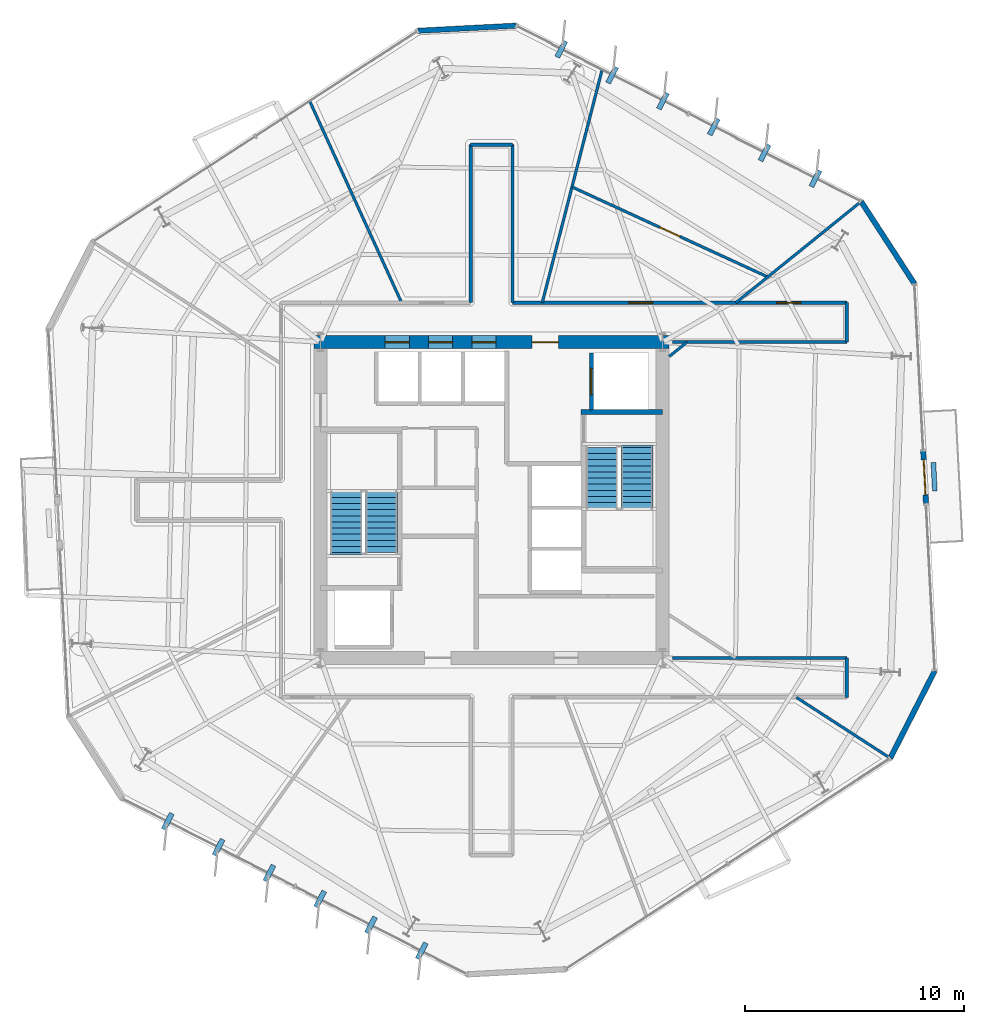
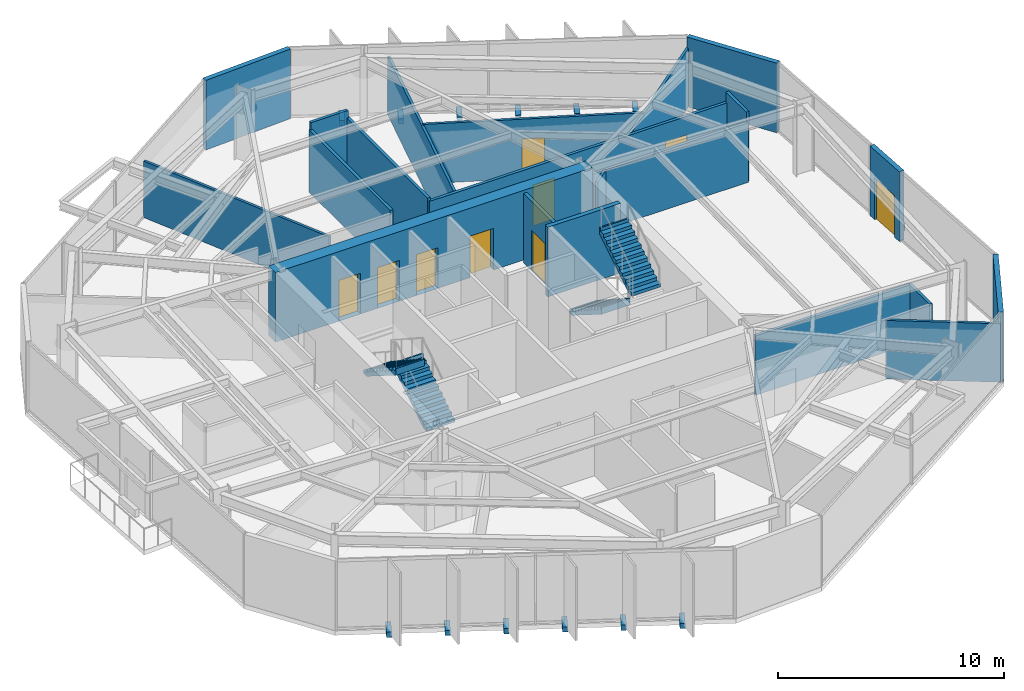
# One storey, part 8 of 12: 22 walls, 12 discrete accessories, 9 doors, 4 stair flights, 9 openings, 2 elements without a shape of their own.
"""IFC4 building model written with IfcOpenShell, lengths in metres."""

from ifc_helpers import new_model, si_unit, direction, frame, frame_2d, origin, origin_2d, place, context, subcontext, project, spatial, polyline, rectangle, outline, extrude, material, layer, layer_set, type_object, element, fill, aggregate, save


model = new_model("IFC4")

# Units and contexts
model_context = context("Model", 3, precision=1e-05, world=origin(), true_north=direction((0.0, 1.0)))
body_context = subcontext(model_context, "Body", "Model", "MODEL_VIEW")
ifc_project = project(units=[si_unit("LENGTHUNIT", "METRE"), si_unit("AREAUNIT", "SQUARE_METRE"), si_unit("VOLUMEUNIT", "CUBIC_METRE"), si_unit("PLANEANGLEUNIT", "RADIAN"), si_unit("MASSUNIT", "GRAM", prefix="KILO")], contexts=[model_context])

# Site, building, storey
site_placement = place(None, origin())
site = spatial("IfcSite", under=ifc_project, at=site_placement, CompositionType="ELEMENT")
building_placement = place(site_placement, origin())
building = spatial("IfcBuilding", under=site, at=building_placement, Name="Kranzbogen Civic Tower", CompositionType="ELEMENT")
storey_placement = place(building_placement, frame((0.0, 0.0, 154.39990234375)))
storey = spatial("IfcBuildingStorey", under=building, at=storey_placement, Name="L37", CompositionType="ELEMENT", Elevation=154.39990234375)

# Walls
ifc_material_1 = material(Name="Double-Stud Acoustic Gypsum Partition")
ifc_layer_1 = layer(ifc_material_1, 0.14990234375, Name="Double-Stud Acoustic Gypsum Partition")
ifc_layer_set_1 = layer_set([ifc_layer_1], Name="Double-Stud Acoustic Gypsum Partition")
wall_type_1 = type_object("IfcWallType", Name="Acoustic Corridor and Clinical Partition 150 mm", PredefinedType="PARTITIONING", material=ifc_layer_set_1)
wall_1_placement = place(storey_placement, frame((24.050048828125, 34.0, 0.0), z_axis=(0.0, 0.0, 1.0), x_axis=(0.0, 1.0, 0.0)))
element("IfcWall", 1, at=wall_1_placement, inside=storey, type_object=wall_type_1, Name="L37 corridor partition 11", PredefinedType="PARTITIONING", context=body_context, shape_type="SweptSolid", body=[
    extrude(rectangle(XDim=7.199951171875, YDim=0.14990234375, at=frame_2d((3.60009765625, 0.0))), origin(), (0.0, 0.0, 1.0), 3.360107421875),
])
wall_2_placement = place(storey_placement, frame((24.050048828125, 41.199951171875, 0.0), z_axis=(0.0, 0.0, 1.0), x_axis=(1.0, 0.0, 0.0)))
element("IfcWall", 2, at=wall_2_placement, inside=storey, type_object=wall_type_1, Name="L37 corridor partition 12", PredefinedType="PARTITIONING", context=body_context, shape_type="SweptSolid", body=[
    extrude(rectangle(XDim=1.89990234375, YDim=0.14990234375, at=frame_2d((0.949951171875, 0.0))), origin(), (0.0, 0.0, 1.0), 3.760009765625),
])
wall_3_placement = place(storey_placement, frame((25.949951171875, 41.199951171875, 0.0), z_axis=(0.0, 0.0, 1.0), x_axis=(0.0, -1.0, 0.0)))
element("IfcWall", 3, at=wall_3_placement, inside=storey, type_object=wall_type_1, Name="L37 corridor partition 13", PredefinedType="PARTITIONING", context=body_context, shape_type="SweptSolid", body=[
    extrude(rectangle(XDim=7.199951171875, YDim=0.14990234375, at=frame_2d((3.60009765625, 0.0))), origin(), (0.0, 0.0, 1.0), 3.360107421875),
])

# Wall, openings, doors
wall_4_placement = place(storey_placement, frame((25.949951171875, 34.0, 0.0), z_axis=(0.0, 0.0, 1.0), x_axis=(1.0, 0.0, 0.0)))
wall_4 = element("IfcWall", 4, at=wall_4_placement, inside=storey, type_object=wall_type_1, Name="L37 corridor partition 14", PredefinedType="PARTITIONING", context=body_context, shape_type="SweptSolid", body=[
    extrude(rectangle(XDim=15.25, YDim=0.14990234375, at=frame_2d((7.625, 0.0))), origin(), (0.0, 0.0, 1.0), 3.210205078125),
])
opening_1_placement = place(wall_4_placement, frame((12.048095703125, 0.0, 0.0)))
opening_1 = element("IfcOpeningElement", 5, at=opening_1_placement, cuts=wall_4, Name="Opening D-COR60", PredefinedType="OPENING", context=body_context, shape_type="SweptSolid", body=[
    extrude(rectangle(XDim=1.10009765625, YDim=2.199951171875, at=frame_2d((0.550048828125, 1.10009765625))), frame((0.0, 0.0849609375, 0.0), z_axis=(0.0, -1.0, 0.0), x_axis=(1.0, 0.0, 0.0)), (0.0, 0.0, 1.0), 0.169921875),
])
opening_2_placement = place(wall_4_placement, frame((5.304931640625, 0.0, 0.0)))
opening_2 = element("IfcOpeningElement", 6, at=opening_2_placement, cuts=wall_4, Name="Opening D-COR60", PredefinedType="OPENING", context=body_context, shape_type="SweptSolid", body=[
    extrude(rectangle(XDim=1.10009765625, YDim=2.199951171875, at=frame_2d((0.550048828125, 1.10009765625))), frame((0.0, 0.0849609375, 0.0), z_axis=(0.0, -1.0, 0.0), x_axis=(1.0, 0.0, 0.0)), (0.0, 0.0, 1.0), 0.169921875),
])
ifc_material_2 = material(Name="Oak Timber and Fire Core", Category="wood")
door_type_1 = type_object("IfcDoorType", Name="Corridor Acoustic Fire Door 1100x2200", OperationType="NOTDEFINED", PredefinedType="DOOR", material=ifc_material_2)
door_1_placement = place(opening_1_placement, origin())
door_1 = element("IfcDoor", 7, at=door_1_placement, inside=storey, type_object=door_type_1, Name="L37 Citizen Services Kiosk door", OperationType="SINGLE_SWING_LEFT", OverallHeight=2.199951171875, OverallWidth=1.10009765625, PredefinedType="DOOR", context=body_context, shape_type="SweptSolid", body=[
    extrude(rectangle(XDim=1.10009765625, YDim=2.199951171875, at=frame_2d((0.550048828125, 1.10009765625))), frame((0.0, 0.02490234375, 0.0), z_axis=(0.0, -1.0, 0.0), x_axis=(1.0, 0.0, 0.0)), (0.0, 0.0, 1.0), 0.050048828125),
])
fill(opening_1, door_1)
door_2_placement = place(opening_2_placement, origin())
door_2 = element("IfcDoor", 8, at=door_2_placement, inside=storey, type_object=door_type_1, Name="L37 Municipal Exhibition Showroom door", OperationType="SINGLE_SWING_RIGHT", OverallHeight=2.199951171875, OverallWidth=1.10009765625, PredefinedType="DOOR", context=body_context, shape_type="SweptSolid", body=[
    extrude(rectangle(XDim=1.10009765625, YDim=2.199951171875, at=frame_2d((0.550048828125, 1.10009765625))), frame((0.0, 0.02490234375, 0.0), z_axis=(0.0, -1.0, 0.0), x_axis=(1.0, 0.0, 0.0)), (0.0, 0.0, 1.0), 0.050048828125),
])
fill(opening_2, door_2)

# Walls
wall_5_placement = place(storey_placement, frame((41.199951171875, 34.0, 0.0), z_axis=(0.0, 0.0, 1.0), x_axis=(0.0, -1.0, 0.0)))
element("IfcWall", 9, at=wall_5_placement, inside=storey, type_object=wall_type_1, Name="L37 corridor partition 15", PredefinedType="PARTITIONING", context=body_context, shape_type="SweptSolid", body=[
    extrude(rectangle(XDim=1.800048828125, YDim=0.14990234375, at=frame_2d((0.89990234375, 0.0))), origin(), (0.0, 0.0, 1.0), 3.760009765625),
])
for number, where, z_axis, x_axis, name in (
    (10, (41.199951171875, 32.199951171875, 0.0), (0.0, 0.0, 1.0), (-1.0, 0.0, 0.0), "L37 corridor partition 16"),
    (11, (33.2470703125, 17.800048828125, 0.0), (0.0, 0.0, 1.0), (1.0, 0.0, 0.0), "L37 corridor partition 17"),
):
    element("IfcWall", number, at=place(storey_placement, frame(where, z_axis=z_axis, x_axis=x_axis)), inside=storey, type_object=wall_type_1, Name=name, PredefinedType="PARTITIONING", context=body_context, shape_type="SweptSolid", body=[
        extrude(rectangle(XDim=7.952880859375, YDim=0.14990234375, at=frame_2d((3.9765625, 0.0))), origin(), (0.0, 0.0, 1.0), 3.210205078125),
    ])
wall_6_placement = place(storey_placement, frame((41.199951171875, 17.800048828125, 0.0), z_axis=(0.0, 0.0, 1.0), x_axis=(0.0, -1.0, 0.0)))
element("IfcWall", 12, at=wall_6_placement, inside=storey, type_object=wall_type_1, Name="L37 corridor partition 18", PredefinedType="PARTITIONING", context=body_context, shape_type="SweptSolid", body=[
    extrude(rectangle(XDim=1.800048828125, YDim=0.14990234375, at=frame_2d((0.89990234375, 0.0))), origin(), (0.0, 0.0, 1.0), 3.210205078125),
])
ifc_material_3 = material(Name="Insulated Metal-Stud Gypsum Partition")
ifc_layer_2 = layer(ifc_material_3, 0.125, Name="Insulated Metal-Stud Gypsum Partition")
ifc_layer_set_2 = layer_set([ifc_layer_2], Name="Insulated Metal-Stud Gypsum Partition")
wall_type_2 = type_object("IfcWallType", Name="Acoustic Inter-Room Partition 125 mm", PredefinedType="PARTITIONING", material=ifc_layer_set_2)
wall_7_placement = place(storey_placement, frame((33.10009765625, 31.5419921875, 0.0), z_axis=(0.0, 0.0, 1.0), x_axis=(0.778063867774, 0.628185177846, 0.0)))
element("IfcWall", 13, at=wall_7_placement, inside=storey, type_object=wall_type_2, Name="L37 radial room partition 01", PredefinedType="PARTITIONING", context=body_context, shape_type="SweptSolid", body=[
    extrude(rectangle(XDim=1.04736328125, YDim=0.125, at=frame_2d((0.523681640625, 0.0))), origin(), (0.0, 0.0, 1.0), 3.210205078125),
])
wall_8_placement = place(storey_placement, frame((36.14404296875, 34.0, 0.0), z_axis=(0.0, 0.0, 1.0), x_axis=(0.777938669593, 0.62834021545, 0.0)))
element("IfcWall", 14, at=wall_8_placement, inside=storey, type_object=wall_type_2, Name="L37 radial room partition 02", PredefinedType="PARTITIONING", context=body_context, shape_type="SweptSolid", body=[
    extrude(rectangle(XDim=7.31298828125, YDim=0.125, at=frame_2d((3.656494140625, 0.0))), origin(), (0.0, 0.0, 1.0), 3.16015625),
])
wall_9_placement = place(storey_placement, frame((27.31201171875, 34.0, 0.0), z_axis=(0.0, 0.0, 1.0), x_axis=(0.248752431695, 0.96856710027, 0.0)))
element("IfcWall", 15, at=wall_9_placement, inside=storey, type_object=wall_type_2, Name="L37 radial room partition 03", PredefinedType="PARTITIONING", context=body_context, shape_type="SweptSolid", body=[
    extrude(rectangle(XDim=10.9501953125, YDim=0.125, at=frame_2d((5.47509765625, 0.0))), origin(), (0.0, 0.0, 1.0), 3.16015625),
])
wall_10_placement = place(storey_placement, frame((20.89599609375, 34.0, 0.0), z_axis=(0.0, 0.0, 1.0), x_axis=(-0.414877179532, 0.90987742356, 0.0)))
element("IfcWall", 16, at=wall_10_placement, inside=storey, type_object=wall_type_2, Name="L37 radial room partition 04", PredefinedType="PARTITIONING", context=body_context, shape_type="SweptSolid", body=[
    extrude(rectangle(XDim=10.082763671875, YDim=0.125, at=frame_2d((5.04150390625, 0.0))), origin(), (0.0, 0.0, 1.0), 3.050048828125),
])
wall_11_placement = place(storey_placement, frame((38.89794921875, 16.0, 0.0), z_axis=(0.0, 0.0, 1.0), x_axis=(0.839406365223, -0.543504327511, 0.0)))
element("IfcWall", 17, at=wall_11_placement, inside=storey, type_object=wall_type_2, Name="L37 radial room partition 10", PredefinedType="PARTITIONING", context=body_context, shape_type="SweptSolid", body=[
    extrude(rectangle(XDim=5.080078125, YDim=0.125, at=frame_2d((2.5400390625, 0.0))), origin(), (0.0, 0.0, 1.0), 3.16015625),
])

# Wall, opening, door
wall_12_placement = place(storey_placement, frame((37.576904296875, 35.177001953125, 0.0), z_axis=(0.0, 0.0, 1.0), x_axis=(-0.908588116284, 0.417693230671, 0.0)))
wall_12 = element("IfcWall", 18, at=wall_12_placement, inside=storey, type_object=wall_type_2, Name="L37 suite chord partition 01", PredefinedType="PARTITIONING", context=body_context, shape_type="SweptSolid", body=[
    extrude(rectangle(XDim=9.7919921875, YDim=0.125, at=frame_2d((4.89599609375, 0.0))), origin(), (0.0, 0.0, 1.0), 3.210205078125),
])
opening_3_placement = place(wall_12_placement, frame((4.39599609375, 0.0, 0.0)))
opening_3 = element("IfcOpeningElement", 19, at=opening_3_placement, cuts=wall_12, Name="Opening D-OFC10", PredefinedType="OPENING", context=body_context, shape_type="SweptSolid", body=[
    extrude(rectangle(XDim=1.0, YDim=2.14990234375, at=frame_2d((0.5, 1.074951171875))), frame((0.0, 0.072509765625, 0.0), z_axis=(0.0, -1.0, 0.0), x_axis=(1.0, 0.0, 0.0)), (0.0, 0.0, 1.0), 0.14501953125),
])
ifc_material_4 = material(Name="Oak Timber Veneer", Category="wood")
door_type_2 = type_object("IfcDoorType", Name="Standard Office Acoustic Door 1000x2150", OperationType="NOTDEFINED", PredefinedType="DOOR", material=ifc_material_4)
door_3_placement = place(opening_3_placement, origin())
door_3 = element("IfcDoor", 20, at=door_3_placement, inside=storey, type_object=door_type_2, Name="L37 Licensing Information Kiosk door", OperationType="SINGLE_SWING_LEFT", OverallHeight=2.14990234375, OverallWidth=1.0, PredefinedType="DOOR", context=body_context, shape_type="SweptSolid", body=[
    extrude(rectangle(XDim=1.0, YDim=2.14990234375, at=frame_2d((0.5, 1.074951171875))), frame((0.0, 0.02490234375, 0.0), z_axis=(0.0, -1.0, 0.0), x_axis=(1.0, 0.0, 0.0)), (0.0, 0.0, 1.0), 0.050048828125),
])
fill(opening_3, door_3)

# Wall
ifc_material_5 = material(Name="Architectural Precast Terracotta Concrete C40/50", Category="masonry")
ifc_layer_3 = layer(ifc_material_5, 0.219970703125, Name="Architectural Precast Terracotta Concrete C40/50")
ifc_layer_set_3 = layer_set([ifc_layer_3], Name="Architectural Precast Terracotta Concrete C40/50")
wall_type_3 = type_object("IfcWallType", Name="Architectural Tree Planter Kerb Wall 220 mm", PredefinedType="USERDEFINED", material=ifc_layer_set_3)
wall_13_placement = place(storey_placement, frame((45.2109375, 25.407958984375, 0.0), z_axis=(0.0, 0.0, 1.0), x_axis=(-0.052213802573, 0.998635929066, 0.0)))
element("IfcWall", 21, at=wall_13_placement, inside=storey, type_object=wall_type_3, Name="L37 landscaped tree balcony planter L37-TB2", ObjectType="PLANTER_WALL", PredefinedType="USERDEFINED", context=body_context, shape_type="SweptSolid", body=[
    extrude(rectangle(XDim=1.2998046875, YDim=0.219970703125, at=frame_2d((0.64990234375, 0.0))), origin(), (0.0, 0.0, 1.0), 0.400146484375),
])

# Wall, openings, doors
ifc_material_6 = material(Name="Concrete C55/67", Category="concrete")
ifc_layer_4 = layer(ifc_material_6, 0.60009765625, Name="Concrete C55/67")
ifc_layer_set_4 = layer_set([ifc_layer_4], Name="Concrete C55/67")
wall_type_4 = type_object("IfcWallType", Name="Central Core Shear Wall 600 mm", PredefinedType="SHEAR", material=ifc_layer_set_4)
wall_14_placement = place(storey_placement, frame((33.10009765625, 32.199951171875, 0.0), z_axis=(0.0, 0.0, 1.0), x_axis=(-1.0, 0.0, 0.0)))
wall_14 = element("IfcWall", 22, at=wall_14_placement, inside=storey, type_object=wall_type_4, Name="L37 central core North shear wall", PredefinedType="SHEAR", context=body_context, shape_type="SweptSolid", body=[
    extrude(rectangle(XDim=16.2001953125, YDim=0.60009765625, at=frame_2d((8.10009765625, 0.0))), origin(), (0.0, 0.0, 1.0), 3.760009765625),
])
opening_4_placement = place(wall_14_placement, frame((5.050048828125, 0.0, 0.0)))
opening_4 = element("IfcOpeningElement", 23, at=opening_4_placement, cuts=wall_14, Name="Opening D-EX120", PredefinedType="OPENING", context=body_context, shape_type="SweptSolid", body=[
    extrude(rectangle(XDim=1.199951171875, YDim=2.25, at=frame_2d((0.60009765625, 1.125))), frame((0.0, 0.31005859375, 0.0), z_axis=(0.0, -1.0, 0.0), x_axis=(1.0, 0.0, 0.0)), (0.0, 0.0, 1.0), 0.6201171875),
])
opening_5_placement = place(wall_14_placement, frame((11.85009765625, 0.0, 0.0)))
opening_5 = element("IfcOpeningElement", 24, at=opening_5_placement, cuts=wall_14, Name="Opening LD-MP-01", PredefinedType="OPENING", context=body_context, shape_type="SweptSolid", body=[
    extrude(rectangle(XDim=1.10009765625, YDim=2.199951171875, at=frame_2d((0.550048828125, 1.10009765625))), frame((0.0, 0.31005859375, 0.0), z_axis=(0.0, -1.0, 0.0), x_axis=(1.0, 0.0, 0.0)), (0.0, 0.0, 1.0), 0.6201171875),
])
opening_6_placement = place(wall_14_placement, frame((9.875, 0.0, 0.0)))
opening_6 = element("IfcOpeningElement", 25, at=opening_6_placement, cuts=wall_14, Name="Opening LD-MP-02", PredefinedType="OPENING", context=body_context, shape_type="SweptSolid", body=[
    extrude(rectangle(XDim=1.10009765625, YDim=2.199951171875, at=frame_2d((0.550048828125, 1.10009765625))), frame((0.0, 0.31005859375, 0.0), z_axis=(0.0, -1.0, 0.0), x_axis=(1.0, 0.0, 0.0)), (0.0, 0.0, 1.0), 0.6201171875),
])
opening_7_placement = place(wall_14_placement, frame((7.89990234375, 0.0, 0.0)))
opening_7 = element("IfcOpeningElement", 26, at=opening_7_placement, cuts=wall_14, Name="Opening LD-MP-03", PredefinedType="OPENING", context=body_context, shape_type="SweptSolid", body=[
    extrude(rectangle(XDim=1.10009765625, YDim=2.199951171875, at=frame_2d((0.550048828125, 1.10009765625))), frame((0.0, 0.31005859375, 0.0), z_axis=(0.0, -1.0, 0.0), x_axis=(1.0, 0.0, 0.0)), (0.0, 0.0, 1.0), 0.6201171875),
])
ifc_material_7 = material(Name="Steel S355", Category="steel")
door_type_3 = type_object("IfcDoorType", Name="Exit Passageway Fire Door 1200x2250", OperationType="NOTDEFINED", PredefinedType="DOOR", material=ifc_material_7)
door_4_placement = place(opening_4_placement, origin())
door_4 = element("IfcDoor", 27, at=door_4_placement, inside=storey, type_object=door_type_3, Name="L37 East firefighting lobby corridor door", OperationType="SINGLE_SWING_LEFT", OverallHeight=2.25, OverallWidth=1.199951171875, PredefinedType="DOOR", context=body_context, shape_type="SweptSolid", body=[
    extrude(rectangle(XDim=1.199951171875, YDim=2.25, at=frame_2d((0.60009765625, 1.125))), frame((0.0, 0.02490234375, 0.0), z_axis=(0.0, -1.0, 0.0), x_axis=(1.0, 0.0, 0.0)), (0.0, 0.0, 1.0), 0.050048828125),
])
fill(opening_4, door_4)
ifc_material_8 = material(Name="Pale Anodised Aluminium", Category="aluminium")
door_type_4 = type_object("IfcDoorType", Name="Passenger Lift Sliding Landing Door 1100x2200", OperationType="DOUBLE_DOOR_SLIDING", PredefinedType="DOOR", material=ifc_material_8)
door_5_placement = place(opening_5_placement, origin())
door_5 = element("IfcDoor", 28, at=door_5_placement, inside=storey, type_object=door_type_4, Name="L37 lift MP-01 sliding landing door", OperationType="DOUBLE_DOOR_SLIDING", OverallHeight=2.199951171875, OverallWidth=1.10009765625, PredefinedType="DOOR", context=body_context, shape_type="SweptSolid", body=[
    extrude(rectangle(XDim=1.10009765625, YDim=2.199951171875, at=frame_2d((0.550048828125, 1.10009765625))), frame((0.0, 0.02490234375, 0.0), z_axis=(0.0, -1.0, 0.0), x_axis=(1.0, 0.0, 0.0)), (0.0, 0.0, 1.0), 0.050048828125),
])
fill(opening_5, door_5)
door_6_placement = place(opening_6_placement, origin())
door_6 = element("IfcDoor", 29, at=door_6_placement, inside=storey, type_object=door_type_4, Name="L37 lift MP-02 sliding landing door", OperationType="DOUBLE_DOOR_SLIDING", OverallHeight=2.199951171875, OverallWidth=1.10009765625, PredefinedType="DOOR", context=body_context, shape_type="SweptSolid", body=[
    extrude(rectangle(XDim=1.10009765625, YDim=2.199951171875, at=frame_2d((0.550048828125, 1.10009765625))), frame((0.0, 0.02490234375, 0.0), z_axis=(0.0, -1.0, 0.0), x_axis=(1.0, 0.0, 0.0)), (0.0, 0.0, 1.0), 0.050048828125),
])
fill(opening_6, door_6)
door_7_placement = place(opening_7_placement, origin())
door_7 = element("IfcDoor", 30, at=door_7_placement, inside=storey, type_object=door_type_4, Name="L37 lift MP-03 sliding landing door", OperationType="DOUBLE_DOOR_SLIDING", OverallHeight=2.199951171875, OverallWidth=1.10009765625, PredefinedType="DOOR", context=body_context, shape_type="SweptSolid", body=[
    extrude(rectangle(XDim=1.10009765625, YDim=2.199951171875, at=frame_2d((0.550048828125, 1.10009765625))), frame((0.0, 0.02490234375, 0.0), z_axis=(0.0, -1.0, 0.0), x_axis=(1.0, 0.0, 0.0)), (0.0, 0.0, 1.0), 0.050048828125),
])
fill(opening_7, door_7)

# Wall
ifc_material_9 = material(Name="Concrete C45/55", Category="concrete")
ifc_layer_5 = layer(ifc_material_9, 0.219970703125, Name="Concrete C45/55")
ifc_layer_set_5 = layer_set([ifc_layer_5], Name="Concrete C45/55")
wall_type_5 = type_object("IfcWallType", Name="Core Internal Stair Structural Wall 220 mm", PredefinedType="SOLIDWALL", material=ifc_layer_set_5)
wall_15_placement = place(storey_placement, frame((29.080078125, 29.010009765625, 0.0), z_axis=(0.0, 0.0, 1.0), x_axis=(1.0, 0.0, 0.0)))
element("IfcWall", 31, at=wall_15_placement, inside=storey, type_object=wall_type_5, Name="L37 ST-T2 North structural stair wall", PredefinedType="SOLIDWALL", context=body_context, shape_type="SweptSolid", body=[
    extrude(rectangle(XDim=3.719970703125, YDim=0.219970703125, at=frame_2d((1.85986328125, 0.0))), origin(), (0.0, 0.0, 1.0), 3.760009765625),
])

# Wall, opening, door
ifc_material_10 = material(Name="Gypsum Fireboard Shaftliner")
ifc_layer_6 = layer(ifc_material_10, 0.175048828125, Name="Gypsum Fireboard Shaftliner")
ifc_layer_set_6 = layer_set([ifc_layer_6], Name="Gypsum Fireboard Shaftliner")
wall_type_6 = type_object("IfcWallType", Name="Fire-Rated Lift and Service Shaft Wall 175 mm", PredefinedType="PARTITIONING", material=ifc_layer_set_6)
wall_16_placement = place(storey_placement, frame((29.550048828125, 29.10009765625, 0.0), z_axis=(0.0, 0.0, 1.0), x_axis=(0.0, 1.0, 0.0)))
wall_16 = element("IfcWall", 32, at=wall_16_placement, inside=storey, type_object=wall_type_6, Name="L37 lift FF-02 landing wall", PredefinedType="PARTITIONING", context=body_context, shape_type="SweptSolid", body=[
    extrude(rectangle(XDim=2.599853515625, YDim=0.175048828125, at=frame_2d((1.2998046875, 0.0))), origin(), (0.0, 0.0, 1.0), 3.760009765625),
])
opening_8_placement = place(wall_16_placement, frame((0.699951171875, 0.0, 0.0)))
opening_8 = element("IfcOpeningElement", 33, at=opening_8_placement, cuts=wall_16, Name="Opening LD-FF-02", PredefinedType="OPENING", context=body_context, shape_type="SweptSolid", body=[
    extrude(rectangle(XDim=1.199951171875, YDim=2.199951171875, at=frame_2d((0.60009765625, 1.10009765625))), frame((0.0, 0.09765625, 0.0), z_axis=(0.0, -1.0, 0.0), x_axis=(1.0, 0.0, 0.0)), (0.0, 0.0, 1.0), 0.195068359375),
])
door_type_5 = type_object("IfcDoorType", Name="Firefighting and Stretcher Lift Sliding Landing Door 1200x2200", OperationType="DOUBLE_DOOR_SLIDING", PredefinedType="DOOR", material=ifc_material_8)
door_8_placement = place(opening_8_placement, origin())
door_8 = element("IfcDoor", 34, at=door_8_placement, inside=storey, type_object=door_type_5, Name="L37 lift FF-02 sliding landing door", OperationType="DOUBLE_DOOR_SLIDING", OverallHeight=2.199951171875, OverallWidth=1.199951171875, PredefinedType="DOOR", context=body_context, shape_type="SweptSolid", body=[
    extrude(rectangle(XDim=1.199951171875, YDim=2.199951171875, at=frame_2d((0.60009765625, 1.10009765625))), frame((0.0, 0.02490234375, 0.0), z_axis=(0.0, -1.0, 0.0), x_axis=(1.0, 0.0, 0.0)), (0.0, 0.0, 1.0), 0.050048828125),
])
fill(opening_8, door_8)

# Walls
ifc_layer_7 = layer(ifc_material_8, 0.239990234375, Name="Pale Anodised Aluminium")
ifc_layer_set_7 = layer_set([ifc_layer_7], Name="Pale Anodised Aluminium")
wall_type_7 = type_object("IfcWallType", Name="Insulated Aluminium Facade Portal Wall 240 mm", PredefinedType="STANDARD", material=ifc_layer_set_7)
wall_17_placement = place(storey_placement, frame((26.10498046875, 46.6279296875, 0.0), z_axis=(0.0, 0.0, 1.0), x_axis=(-0.998630920983, -0.052309498732, 0.0)))
element("IfcWall", 35, at=wall_17_placement, inside=storey, type_object=wall_type_7, Name="L37 chamfered corner facade spandrel 1", PredefinedType="STANDARD", context=body_context, shape_type="SweptSolid", body=[
    extrude(rectangle(XDim=4.47119140625, YDim=0.239990234375, at=frame_2d((2.235595703125, 0.0))), origin(), (0.0, 0.0, 1.0), 3.760009765625),
])
wall_18_placement = place(storey_placement, frame((43.177001953125, 13.22900390625, 0.0), z_axis=(0.0, 0.0, 1.0), x_axis=(0.454103301767, 0.89094903969, 0.0)))
element("IfcWall", 36, at=wall_18_placement, inside=storey, type_object=wall_type_7, Name="L37 chamfered corner facade spandrel 5", PredefinedType="STANDARD", context=body_context, shape_type="SweptSolid", body=[
    extrude(rectangle(XDim=4.470458984375, YDim=0.239990234375, at=frame_2d((2.2353515625, 0.0))), origin(), (0.0, 0.0, 1.0), 3.760009765625),
])

# Wall, opening, door
wall_19_placement = place(storey_placement, frame((44.806884765625, 24.8359375, 0.0), z_axis=(0.0, 0.0, 1.0), x_axis=(-0.052078347636, 0.998643002132, 0.0)))
wall_19 = element("IfcWall", 37, at=wall_19_placement, inside=storey, type_object=wall_type_7, Name="L37 exterior entrance portal wall 1", PredefinedType="STANDARD", context=body_context, shape_type="SweptSolid", body=[
    extrude(rectangle(XDim=2.400146484375, YDim=0.239990234375, at=frame_2d((1.2001953125, 0.0))), origin(), (0.0, 0.0, 1.0), 3.760009765625),
])
opening_9_placement = place(wall_19_placement, frame((0.39990234375, 0.0, 0.0)))
opening_9 = element("IfcOpeningElement", 38, at=opening_9_placement, cuts=wall_19, Name="Opening D-TER", PredefinedType="OPENING", context=body_context, shape_type="SweptSolid", body=[
    extrude(rectangle(XDim=1.60009765625, YDim=2.25, at=frame_2d((0.800048828125, 1.125))), frame((0.0, 0.1298828125, 0.0), z_axis=(0.0, -1.0, 0.0), x_axis=(1.0, 0.0, 0.0)), (0.0, 0.0, 1.0), 0.260009765625),
])
ifc_material_11 = material(Name="Anodised Bronze and Triple Glass", Category="glass")
door_type_6 = type_object("IfcDoorType", Name="Glazed Terrace and Balcony Double Door 1600x2250", OperationType="DOUBLE_DOOR_SINGLE_SWING", PredefinedType="DOOR", material=ifc_material_11)
door_9_placement = place(opening_9_placement, frame((1.60009765625, 0.0, 0.0), z_axis=(0.0, 0.0, 1.0), x_axis=(-1.0, 0.0, 0.0)))
door_9 = element("IfcDoor", 39, at=door_9_placement, inside=storey, type_object=door_type_6, Name="L37 tree balcony access door L37-TB2", OperationType="DOUBLE_DOOR_SINGLE_SWING", OverallHeight=2.25, OverallWidth=1.60009765625, PredefinedType="DOOR", context=body_context, shape_type="SweptSolid", body=[
    extrude(rectangle(XDim=1.60009765625, YDim=2.25, at=frame_2d((0.800048828125, 1.125))), frame((0.0, 0.02490234375, 0.0), z_axis=(0.0, -1.0, 0.0), x_axis=(1.0, 0.0, 0.0)), (0.0, 0.0, 1.0), 0.050048828125),
])
fill(opening_9, door_9)

# Wall
wall_20_placement = place(storey_placement, frame((44.281982421875, 34.85595703125, 0.0), z_axis=(0.0, 0.0, 1.0), x_axis=(-0.544351046129, 0.838857519832, 0.0)))
element("IfcWall", 40, at=wall_20_placement, inside=storey, type_object=wall_type_7, Name="L37 chamfered corner facade spandrel 6", PredefinedType="STANDARD", context=body_context, shape_type="SweptSolid", body=[
    extrude(rectangle(XDim=4.471435546875, YDim=0.239990234375, at=frame_2d((2.23583984375, 0.0))), origin(), (0.0, 0.0, 1.0), 3.760009765625),
])

# Stair, stair flights
ifc_material_12 = material(Name="Precast concrete C40/50", Category="concrete")
stair_type_1 = type_object("IfcStairType", Name="Tower Core Pressurized Dogleg Stair 1450", PredefinedType="HALF_TURN_STAIR", material=ifc_material_12)
stair_1_placement = place(storey_placement, origin())
stair_1 = element("IfcStair", 41, at=stair_1_placement, inside=storey, type_object=stair_type_1, Name="L37 Tower Core Pressurized Stair 1", PredefinedType="HALF_TURN_STAIR")
stair_flight_type = type_object("IfcStairFlightType", Name="Precast Concrete Stair Flight R180", PredefinedType="STRAIGHT", material=ifc_material_12)
stair_flight_1_placement = place(storey_placement, frame((19.97509765625, 22.60009765625, 0.0), z_axis=(0.0, 0.0, 1.0), x_axis=(0.0, 1.0, 0.0)))
stair_flight_1 = element("IfcStairFlight", 42, at=stair_flight_1_placement, type_object=stair_flight_type, Name="ST-T1 flight 1", NumberOfRisers=11, NumberOfTreads=10, PredefinedType="STRAIGHT", RiserHeight=0.181818182, TreadLength=0.28, context=body_context, shape_type="SweptSolid", body=[
    extrude(outline(polyline([(0.0, 0.0), (0.0, 0.181884765625), (0.280029296875, 0.181884765625), (0.280029296875, 0.363525390625), (0.56005859375, 0.363525390625), (0.56005859375, 0.54541015625), (0.840087890625, 0.54541015625), (0.840087890625, 0.727294921875), (1.1201171875, 0.727294921875), (1.1201171875, 0.9091796875), (1.39990234375, 0.9091796875), (1.39990234375, 1.0908203125), (1.679931640625, 1.0908203125), (1.679931640625, 1.272705078125), (1.9599609375, 1.272705078125), (1.9599609375, 1.45458984375), (2.239990234375, 1.45458984375), (2.239990234375, 1.636474609375), (2.52001953125, 1.636474609375), (2.52001953125, 1.818115234375), (2.800048828125, 1.818115234375), (2.800048828125, 2.0), (2.880126953125, 2.0), (2.880126953125, 1.639404296875), (0.275146484375, 0.0), (0.0, 0.0)])), frame((0.0, 0.72509765625, 0.0), z_axis=(0.0, -1.0, 0.0), x_axis=(1.0, 0.0, 0.0)), (0.0, 0.0, 1.0), 1.449951171875),
])
stair_flight_2_placement = place(storey_placement, frame((18.375, 25.39990234375, 2.0), z_axis=(0.0, 0.0, 1.0), x_axis=(0.0, -1.0, 0.0)))
stair_flight_2 = element("IfcStairFlight", 43, at=stair_flight_2_placement, type_object=stair_flight_type, Name="ST-T1 flight 2", NumberOfRisers=11, NumberOfTreads=10, PredefinedType="STRAIGHT", RiserHeight=0.181818182, TreadLength=0.28, context=body_context, shape_type="SweptSolid", body=[
    extrude(outline(polyline([(0.0, 0.0), (0.0, 0.181884765625), (0.280029296875, 0.181884765625), (0.280029296875, 0.363525390625), (0.56005859375, 0.363525390625), (0.56005859375, 0.54541015625), (0.840087890625, 0.54541015625), (0.840087890625, 0.727294921875), (1.1201171875, 0.727294921875), (1.1201171875, 0.9091796875), (1.39990234375, 0.9091796875), (1.39990234375, 1.0908203125), (1.679931640625, 1.0908203125), (1.679931640625, 1.272705078125), (1.9599609375, 1.272705078125), (1.9599609375, 1.45458984375), (2.239990234375, 1.45458984375), (2.239990234375, 1.636474609375), (2.52001953125, 1.636474609375), (2.52001953125, 1.818115234375), (2.800048828125, 1.818115234375), (2.800048828125, 2.0), (2.880126953125, 2.0), (2.880126953125, 1.639404296875), (0.275146484375, 0.0), (0.0, 0.0)])), frame((0.0, 0.72509765625, 0.0), z_axis=(0.0, -1.0, 0.0), x_axis=(1.0, 0.0, 0.0)), (0.0, 0.0, 1.0), 1.449951171875),
])
aggregate(stair_1, [stair_flight_1, stair_flight_2])

stair_type_2 = type_object("IfcStairType", Name="Tower Core Secondary Dogleg Stair 1450", PredefinedType="HALF_TURN_STAIR", material=ifc_material_12)
stair_2_placement = place(storey_placement, origin())
stair_2 = element("IfcStair", 44, at=stair_2_placement, inside=storey, type_object=stair_type_2, Name="L37 Tower Core Pressurized Stair 2", PredefinedType="HALF_TURN_STAIR")
stair_flight_3_placement = place(storey_placement, frame((30.02490234375, 27.39990234375, 0.0), z_axis=(0.0, 0.0, 1.0), x_axis=(0.0, -1.0, 0.0)))
stair_flight_3 = element("IfcStairFlight", 45, at=stair_flight_3_placement, type_object=stair_flight_type, Name="ST-T2 flight 1", NumberOfRisers=11, NumberOfTreads=10, PredefinedType="STRAIGHT", RiserHeight=0.181818182, TreadLength=0.28, context=body_context, shape_type="SweptSolid", body=[
    extrude(outline(polyline([(0.0, 0.0), (0.0, 0.181884765625), (0.280029296875, 0.181884765625), (0.280029296875, 0.363525390625), (0.56005859375, 0.363525390625), (0.56005859375, 0.54541015625), (0.840087890625, 0.54541015625), (0.840087890625, 0.727294921875), (1.1201171875, 0.727294921875), (1.1201171875, 0.9091796875), (1.39990234375, 0.9091796875), (1.39990234375, 1.0908203125), (1.679931640625, 1.0908203125), (1.679931640625, 1.272705078125), (1.9599609375, 1.272705078125), (1.9599609375, 1.45458984375), (2.239990234375, 1.45458984375), (2.239990234375, 1.636474609375), (2.52001953125, 1.636474609375), (2.52001953125, 1.818115234375), (2.800048828125, 1.818115234375), (2.800048828125, 2.0), (2.880126953125, 2.0), (2.880126953125, 1.639404296875), (0.275146484375, 0.0), (0.0, 0.0)])), frame((0.0, 0.72509765625, 0.0), z_axis=(0.0, -1.0, 0.0), x_axis=(1.0, 0.0, 0.0)), (0.0, 0.0, 1.0), 1.449951171875),
])
stair_flight_4_placement = place(storey_placement, frame((31.625, 24.60009765625, 2.0), z_axis=(0.0, 0.0, 1.0), x_axis=(0.0, 1.0, 0.0)))
stair_flight_4 = element("IfcStairFlight", 46, at=stair_flight_4_placement, type_object=stair_flight_type, Name="ST-T2 flight 2", NumberOfRisers=11, NumberOfTreads=10, PredefinedType="STRAIGHT", RiserHeight=0.181818182, TreadLength=0.28, context=body_context, shape_type="SweptSolid", body=[
    extrude(outline(polyline([(0.0, 0.0), (0.0, 0.181884765625), (0.280029296875, 0.181884765625), (0.280029296875, 0.363525390625), (0.56005859375, 0.363525390625), (0.56005859375, 0.54541015625), (0.840087890625, 0.54541015625), (0.840087890625, 0.727294921875), (1.1201171875, 0.727294921875), (1.1201171875, 0.9091796875), (1.39990234375, 0.9091796875), (1.39990234375, 1.0908203125), (1.679931640625, 1.0908203125), (1.679931640625, 1.272705078125), (1.9599609375, 1.272705078125), (1.9599609375, 1.45458984375), (2.239990234375, 1.45458984375), (2.239990234375, 1.636474609375), (2.52001953125, 1.636474609375), (2.52001953125, 1.818115234375), (2.800048828125, 1.818115234375), (2.800048828125, 2.0), (2.880126953125, 2.0), (2.880126953125, 1.639404296875), (0.275146484375, 0.0), (0.0, 0.0)])), frame((0.0, 0.72509765625, 0.0), z_axis=(0.0, -1.0, 0.0), x_axis=(1.0, 0.0, 0.0)), (0.0, 0.0, 1.0), 1.449951171875),
])
aggregate(stair_2, [stair_flight_3, stair_flight_4])

# Discrete accessories
discrete_accessory_type = type_object("IfcDiscreteAccessoryType", Name="Structural Curtain-Wall Fin Support Bracket", PredefinedType="BRACKET", material=ifc_material_7)
for number, where, z_axis, x_axis, name in (
    (47, (39.762939453125, 39.656005859375, -0.25), (0.0, 0.0, 1.0), (0.45399049974, 0.891006524188, 0.0), "L37 facade fin support bracket F1-1"),
    (48, (37.446044921875, 40.8359375, -0.25), (0.0, 0.0, 1.0), (0.45399049974, 0.891006524188, 0.0), "L37 facade fin support bracket F1-2"),
    (49, (35.12890625, 42.01708984375, -0.25), (0.0, 0.0, 1.0), (0.45399049974, 0.891006524188, 0.0), "L37 facade fin support bracket F1-3"),
    (50, (32.81298828125, 43.197021484375, -0.25), (0.0, 0.0, 1.0), (0.45399049974, 0.891006524188, 0.0), "L37 facade fin support bracket F1-4"),
    (51, (30.49609375, 44.376953125, -0.25), (0.0, 0.0, 1.0), (0.45399049974, 0.891006524188, 0.0), "L37 facade fin support bracket F1-5"),
    (52, (28.178955078125, 45.55810546875, -0.25), (0.0, 0.0, 1.0), (0.45399049974, 0.891006524188, 0.0), "L37 facade fin support bracket F1-6"),
    (53, (10.237060546875, 10.343994140625, -0.25), (0.0, 0.0, 1.0), (-0.45399049974, -0.891006524188, 0.0), "L37 facade fin support bracket F4-1"),
    (54, (12.553955078125, 9.1640625, -0.25), (0.0, 0.0, 1.0), (-0.45399049974, -0.891006524188, 0.0), "L37 facade fin support bracket F4-2"),
    (55, (14.87109375, 7.98291015625, -0.25), (0.0, 0.0, 1.0), (-0.45399049974, -0.891006524188, 0.0), "L37 facade fin support bracket F4-3"),
    (56, (17.18701171875, 6.802978515625, -0.25), (0.0, 0.0, 1.0), (-0.45399049974, -0.891006524188, 0.0), "L37 facade fin support bracket F4-4"),
    (57, (19.50390625, 5.623046875, -0.25), (0.0, 0.0, 1.0), (-0.45399049974, -0.891006524188, 0.0), "L37 facade fin support bracket F4-5"),
    (58, (21.821044921875, 4.44189453125, -0.25), (0.0, 0.0, 1.0), (-0.45399049974, -0.891006524188, 0.0), "L37 facade fin support bracket F4-6"),
):
    element("IfcDiscreteAccessory", number, at=place(storey_placement, frame(where, z_axis=z_axis, x_axis=x_axis)), inside=storey, type_object=discrete_accessory_type, Name=name, PredefinedType="BRACKET", context=body_context, shape_type="SweptSolid", body=[
        extrude(rectangle(XDim=0.820068359375, YDim=0.239990234375, at=origin_2d()), origin(), (0.0, 0.0, 1.0), 0.280029296875),
    ])

save(model, "model.ifc")
